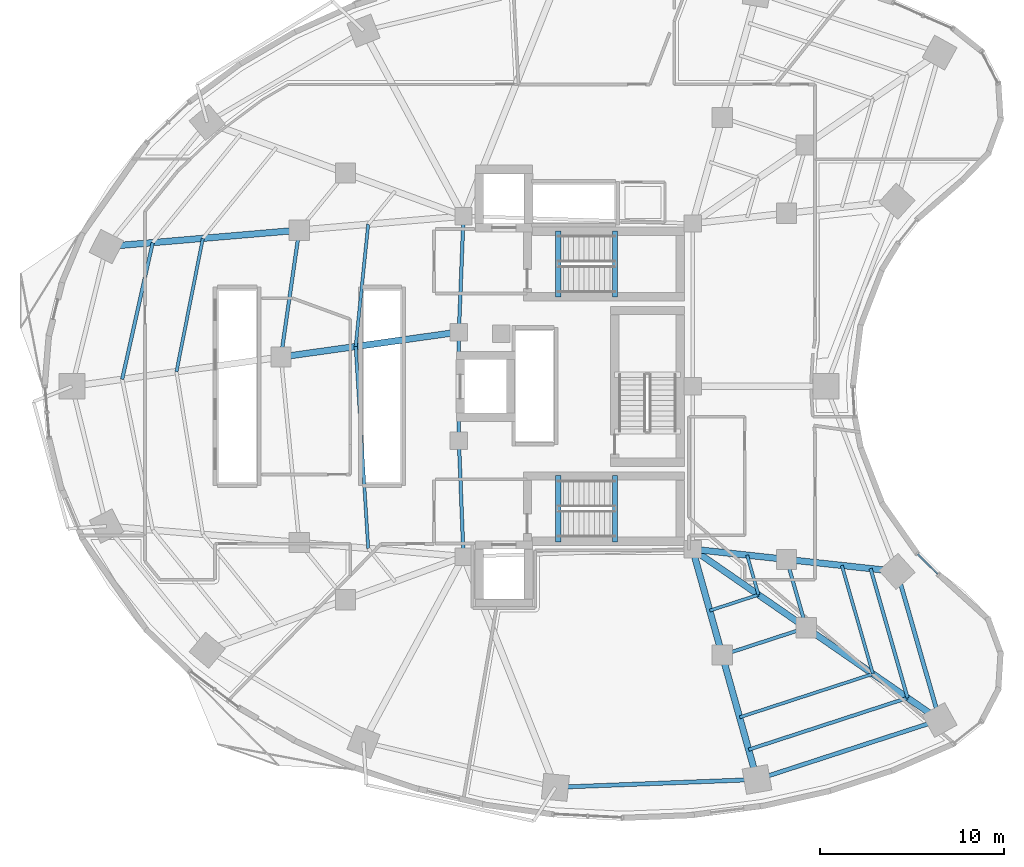
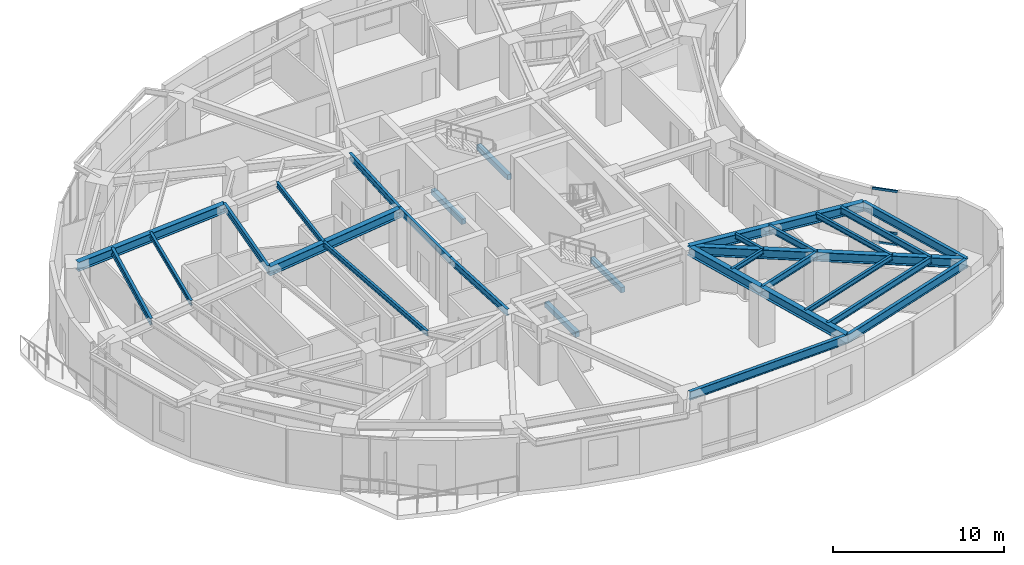
# One storey, part 3 of 14: 31 beams, 3 members, 1 element without a shape of its own.
"""IFC4 building model written with IfcOpenShell, lengths in metres."""

import ifcopenshell
import ifcopenshell.guid

model = None  # the IFC model being written
_history = None  # IfcOwnerHistory: only IFC2X3 demands one
_inside = {}  # id of a spatial element -> (the spatial element, [elements in it])
_under = {}  # id of a project, library or spatial element -> (it, [spatial elements below it])
_declared = {}  # id of a project -> (the project, [libraries it declares])
_typed = {}  # id of a type object -> (the type object, [elements of that type])
_made_of = {}  # id of a material, layer set ... -> (it, [elements and type objects made of it])


def new_model(schema):
    """Start an empty IFC model of exactly this schema.

    Asked for "IFC4X3", IfcOpenShell would pick the latest addendum, in which some entities
    have other attributes; the version numbers below select the first issue.
    IFC2X3 requires an IfcOwnerHistory on every rooted entity: one is made here for all.
    """
    global model, _history
    if schema == "IFC4X3":
        model = ifcopenshell.file(schema_version=(4, 3, 0, 0))
    else:
        model = ifcopenshell.file(schema=schema)
    _inside.clear()
    _under.clear()
    _declared.clear()
    _typed.clear()
    _made_of.clear()
    _history = None
    if model.schema == "IFC2X3":
        org = make("IfcOrganization", Name="unknown")
        user = make(
            "IfcPersonAndOrganization",
            ThePerson=make("IfcPerson", FamilyName="unknown"),
            TheOrganization=org,
        )
        app = make(
            "IfcApplication",
            ApplicationDeveloper=org,
            Version="unknown",
            ApplicationFullName="unknown",
            ApplicationIdentifier="unknown",
        )
        _history = make(
            "IfcOwnerHistory",
            OwningUser=user,
            OwningApplication=app,
            ChangeAction="ADDED",
            CreationDate=0,
        )
    return model


def make(cls, **values):
    """One entity of the class cls with the attributes given. An attribute that is None is left unset."""
    return model.create_entity(
        cls, **{name: value for name, value in values.items() if value is not None}
    )


def rooted(cls, **values):
    """An entity with a GlobalId (a new one), such as an element, a storey or a relation."""
    return make(cls, GlobalId=ifcopenshell.guid.new(), OwnerHistory=_history, **values)


def si_unit(unit_type, name, prefix=None):
    """IfcSIUnit, for example si_unit("LENGTHUNIT", "METRE", prefix="MILLI")."""
    return make("IfcSIUnit", UnitType=unit_type, Prefix=prefix, Name=name)


def assignment(units):
    """IfcUnitAssignment: the units of a project."""
    return None if units is None else make("IfcUnitAssignment", Units=units)


def point(xyz):
    """IfcCartesianPoint."""
    return None if xyz is None else make("IfcCartesianPoint", Coordinates=xyz)


def direction(xyz):
    """IfcDirection."""
    return None if xyz is None else make("IfcDirection", DirectionRatios=xyz)


def frame(location, z_axis=None, x_axis=None):
    """IfcAxis2Placement3D, a coordinate frame: its origin and axes. An axis left out is left unset."""
    return make(
        "IfcAxis2Placement3D",
        Location=point(location),
        Axis=direction(z_axis),
        RefDirection=direction(x_axis),
    )


def frame_2d(location, x_axis=None):
    """IfcAxis2Placement2D, a coordinate frame in the plane: its origin and x axis."""
    return make(
        "IfcAxis2Placement2D", Location=point(location), RefDirection=direction(x_axis)
    )


def origin():
    """The frame at (0, 0, 0) with its axes left unset."""
    return frame((0.0, 0.0, 0.0))


def origin_2d():
    """The frame at (0, 0) in the plane with its x axis left unset."""
    return frame_2d((0.0, 0.0))


def place(relative_to, where):
    """IfcLocalPlacement: puts the frame where relative to a parent placement (None: the world)."""
    return make(
        "IfcLocalPlacement", PlacementRelTo=relative_to, RelativePlacement=where
    )


def context(
    kind, dimensions, precision=None, world=None, true_north=None, identifier=None
):
    """IfcGeometricRepresentationContext, for example the 3D "Model" context."""
    return make(
        "IfcGeometricRepresentationContext",
        ContextIdentifier=identifier,
        ContextType=kind,
        CoordinateSpaceDimension=dimensions,
        Precision=precision,
        WorldCoordinateSystem=world,
        TrueNorth=true_north,
    )


def subcontext(parent, identifier, kind, view, scale=None):
    """IfcGeometricRepresentationSubContext, for example "Body" below "Model"."""
    return make(
        "IfcGeometricRepresentationSubContext",
        ContextIdentifier=identifier,
        ContextType=kind,
        ParentContext=parent,
        TargetScale=scale,
        TargetView=view,
    )


def project(units=None, contexts=None):
    """IfcProject with its units and contexts."""
    return rooted(
        "IfcProject",
        Name="project",
        RepresentationContexts=contexts,
        UnitsInContext=assignment(units),
    )


def spatial(cls, under=None, at=None, **own):
    """A site, building, storey or space (cls), placed at a placement, below another one or the project."""
    s = rooted(cls, ObjectPlacement=at, **own)
    if under is not None:
        _under.setdefault(under.id(), (under, []))[1].append(s)
    return s


def profile(cls, at=None, kind="AREA", **sizes):
    """A parametric profile (cls). Its sizes go by their IFC names, for example OverallWidth=200.0."""
    return make(cls, ProfileType=kind, Position=at, **sizes)


def rectangle(**sizes):
    """IfcRectangleProfileDef."""
    return profile("IfcRectangleProfileDef", **sizes)


def i_section(**sizes):
    """IfcIShapeProfileDef."""
    return profile("IfcIShapeProfileDef", **sizes)


def extrude(swept, where, along, depth):
    """IfcExtrudedAreaSolid: the profile swept, set in the frame where, extruded along a direction by depth."""
    return make(
        "IfcExtrudedAreaSolid",
        SweptArea=swept,
        Position=where,
        ExtrudedDirection=direction(along),
        Depth=depth,
    )


def shape(context_of_items, identifier, shape_type, items):
    """IfcShapeRepresentation: the items that make up one representation, for example the "Body"."""
    return make(
        "IfcShapeRepresentation",
        ContextOfItems=context_of_items,
        RepresentationIdentifier=identifier,
        RepresentationType=shape_type,
        Items=items,
    )


def material(Name=None, Category=None):
    """IfcMaterial."""
    return make("IfcMaterial", Name=Name, Category=Category)


def layer(
    of_material, thickness, ventilated=None, Name=None, Category=None, Priority=None
):
    """IfcMaterialLayer: one layer of a wall or slab, of a material (None: an air gap)."""
    return make(
        "IfcMaterialLayer",
        Material=of_material,
        LayerThickness=thickness,
        IsVentilated=ventilated,
        Name=Name,
        Category=Category,
        Priority=Priority,
    )


def layer_set(layers, Name=None):
    """IfcMaterialLayerSet."""
    return make("IfcMaterialLayerSet", MaterialLayers=layers, LayerSetName=Name)


def material_profile(
    of_material, cross_section, Name=None, Category=None, Priority=None
):
    """IfcMaterialProfile: a cross section and its material."""
    return make(
        "IfcMaterialProfile",
        Name=Name,
        Material=of_material,
        Profile=cross_section,
        Priority=Priority,
        Category=Category,
    )


def profile_set(profiles, Name=None, composite=None):
    """IfcMaterialProfileSet."""
    return make(
        "IfcMaterialProfileSet",
        Name=Name,
        MaterialProfiles=profiles,
        CompositeProfile=composite,
    )


def made_of(thing, what):
    """Note that an element or type object is made of a material, layer set ...; save() writes the relation."""
    if what is not None:
        _made_of.setdefault(what.id(), (what, []))[1].append(thing)
    return thing


def type_object(cls, material=None, **own):
    """A type object (cls), such as IfcWallType, which elements share."""
    return made_of(rooted(cls, **own), material)


def element(
    cls,
    number,
    at=None,
    inside=None,
    cuts=None,
    type_object=None,
    material=None,
    context=None,
    identifier="Body",
    shape_type=None,
    held_by="IfcProductDefinitionShape",
    body=None,
    shapes=None,
    **own,
):
    """One element of the class cls, such as IfcWall. Its Tag is "e" and its number.

    at: its placement. inside: the storey or other place that contains it. cuts: it is an
    opening in that element (IfcRelVoidsElement). A single representation is given by context,
    identifier, shape_type and body (its items); several are given by shapes. held_by: the class
    of the entity that holds the representations. save() writes the other relations.
    """
    e = rooted(cls, Tag="e%d" % number, ObjectPlacement=at, **own)
    if body is not None:
        shapes = [shape(context, identifier, shape_type, body)]
    if shapes is not None:
        e.Representation = make(held_by, Representations=shapes)
    if inside is not None:
        _inside.setdefault(inside.id(), (inside, []))[1].append(e)
    if cuts is not None:
        rooted(
            "IfcRelVoidsElement", RelatingBuildingElement=cuts, RelatedOpeningElement=e
        )
    if type_object is not None:
        _typed.setdefault(type_object.id(), (type_object, []))[1].append(e)
    return made_of(e, material)


def aggregate(whole, parts):
    """IfcRelAggregates: a whole, such as a stair, and the parts it consists of."""
    return rooted("IfcRelAggregates", RelatingObject=whole, RelatedObjects=parts)


def save(model, path):
    """Write the relations noted so far, then the file.

    IfcRelAggregates (storeys below a building ...), IfcRelContainedInSpatialStructure (elements
    in a storey), IfcRelDefinesByType, IfcRelAssociatesMaterial and IfcRelDeclares: one each for
    every whole, place, type object, material and project.
    """
    for whole, parts in _under.values():
        aggregate(whole, parts)
    for where, things in _inside.values():
        rooted(
            "IfcRelContainedInSpatialStructure",
            RelatedElements=things,
            RelatingStructure=where,
        )
    for kind, things in _typed.values():
        rooted("IfcRelDefinesByType", RelatedObjects=things, RelatingType=kind)
    for what, things in _made_of.values():
        rooted("IfcRelAssociatesMaterial", RelatedObjects=things, RelatingMaterial=what)
    for by, libraries in _declared.values():
        rooted("IfcRelDeclares", RelatingContext=by, RelatedDefinitions=libraries)
    model.write(path)


model = new_model("IFC4")

# Units and contexts
model_context = context("Model", 3, precision=1e-05, world=origin(), true_north=direction((0.0, 1.0)))
body_context = subcontext(model_context, "Body", "Model", "MODEL_VIEW")
ifc_project = project(units=[si_unit("LENGTHUNIT", "METRE"), si_unit("AREAUNIT", "SQUARE_METRE"), si_unit("VOLUMEUNIT", "CUBIC_METRE"), si_unit("PLANEANGLEUNIT", "RADIAN"), si_unit("MASSUNIT", "GRAM", prefix="KILO")], contexts=[model_context])

# Site, building, storey
site_placement = place(None, origin())
site = spatial("IfcSite", under=ifc_project, at=site_placement, CompositionType="ELEMENT")
building_placement = place(site_placement, origin())
building = spatial("IfcBuilding", under=site, at=building_placement, Name="Korentha Bioscience Tower", CompositionType="ELEMENT")
storey_placement = place(building_placement, frame((0.0, 0.0, 51.0)))
storey = spatial("IfcBuildingStorey", under=building, at=storey_placement, Name="L11", CompositionType="ELEMENT", Elevation=51.0)

# Beams
ifc_material_1 = material(Name="Concrete C50", Category="concrete")
ifc_material_profile_1 = material_profile(ifc_material_1, rectangle(XDim=0.280029296875, YDim=0.3798828125, at=origin_2d()), Name="Concrete C50")
ifc_profile_set_1 = profile_set([ifc_material_profile_1], Name="Concrete C50 (ST-HB380)")
beam_type_1 = type_object("IfcBeamType", Name="Concrete Stair Header Beam RC 280x380", PredefinedType="BEAM", material=ifc_profile_set_1)
for number, where, z_axis, x_axis, name in (
    (1, (30.25, 31.85009765625, -0.18994140625), (0.0, 1.0, 0.0), (-1.0, 0.0, 0.0), "L11 ST-1 Concrete Stair Header Beam"),
    (2, (33.330078125, 31.85009765625, 1.909912109375), (0.0, 1.0, 0.0), (-1.0, 0.0, 0.0), "L11 ST-1 Half-Landing Header Beam 1"),
    (3, (30.25, 18.550048828125, -0.18994140625), (0.0, 1.0, 0.0), (-1.0, 0.0, 0.0), "L11 ST-2 Concrete Stair Header Beam"),
    (4, (33.330078125, 18.550048828125, 1.909912109375), (0.0, 1.0, 0.0), (-1.0, 0.0, 0.0), "L11 ST-2 Half-Landing Header Beam 1"),
):
    element("IfcBeam", number, at=place(storey_placement, frame(where, z_axis=z_axis, x_axis=x_axis)), inside=storey, type_object=beam_type_1, Name=name, PredefinedType="BEAM", context=body_context, shape_type="SweptSolid", body=[
        extrude(rectangle(XDim=0.280029296875, YDim=0.3798828125, at=origin_2d()), origin(), (0.0, 0.0, 1.0), 3.599853515625),
    ])
ifc_material_2 = material(Name="Steel S355", Category="steel")
ifc_material_profile_2 = material_profile(ifc_material_2, i_section(OverallWidth=0.18994140625, OverallDepth=0.45703125, WebThickness=0.009033203125, FlangeThickness=0.014404296875, at=origin_2d()), Name="Steel S355")
ifc_profile_set_2 = profile_set([ifc_material_profile_2], Name="Steel S355 (MB-460)")
beam_type_2 = type_object("IfcBeamType", Name="Mid-Ring Tie Girder W460x74", PredefinedType="BEAM", material=ifc_profile_set_2)
beam_1_placement = place(storey_placement, frame((16.174072265625, 35.489013671875, 3.67138671875), z_axis=(-0.14286846228, -0.989741684727, 0.0), x_axis=(0.989741684727, -0.14286846228, 0.0)))
element("IfcBeam", 5, at=beam_1_placement, inside=storey, type_object=beam_type_2, Name="L11 Mid-Ring Tie Girder 06", PredefinedType="BEAM", context=body_context, shape_type="SweptSolid", body=[
    extrude(i_section(OverallWidth=0.18994140625, OverallDepth=0.45703125, WebThickness=0.009033203125, FlangeThickness=0.014404296875, at=origin_2d()), origin(), (0.0, 0.0, 1.0), 6.967041015625),
])
beam_2_placement = place(storey_placement, frame((39.1611328125, 12.392333984375, 3.67138671875), z_axis=(0.950877001105, 0.309568940253, 0.0), x_axis=(-0.309568940253, 0.950877001105, 0.0)))
element("IfcBeam", 6, at=beam_2_placement, inside=storey, type_object=beam_type_2, Name="L11 Mid-Ring Tie Girder 12", PredefinedType="BEAM", context=body_context, shape_type="SweptSolid", body=[
    extrude(i_section(OverallWidth=0.18994140625, OverallDepth=0.45703125, WebThickness=0.009033203125, FlangeThickness=0.014404296875, at=origin_2d()), origin(), (0.0, 0.0, 1.0), 4.80126953125),
])
beam_3_placement = place(storey_placement, frame((43.7265625, 13.878662109375, 3.67138671875), z_axis=(-0.27560557792, 0.961270807535, 0.0), x_axis=(-0.961270807535, -0.27560557792, 0.0)))
element("IfcBeam", 7, at=beam_3_placement, inside=storey, type_object=beam_type_2, Name="L11 Mid-Ring Tie Girder 13", PredefinedType="BEAM", context=body_context, shape_type="SweptSolid", body=[
    extrude(i_section(OverallWidth=0.18994140625, OverallDepth=0.45703125, WebThickness=0.009033203125, FlangeThickness=0.014404296875, at=origin_2d()), origin(), (0.0, 0.0, 1.0), 3.864013671875),
])
beam_4_placement = place(storey_placement, frame((25.10009765625, 36.25, 3.67138671875), z_axis=(-0.039651025576, -0.999213588864, 0.0), x_axis=(0.999213588864, -0.039651025576, 0.0)))
element("IfcBeam", 8, at=beam_4_placement, inside=storey, type_object=beam_type_2, Name="L11 Core Ring Tie Girder 02", PredefinedType="BEAM", context=body_context, shape_type="SweptSolid", body=[
    extrude(i_section(OverallWidth=0.18994140625, OverallDepth=0.45703125, WebThickness=0.009033203125, FlangeThickness=0.014404296875, at=origin_2d()), origin(), (0.0, 0.0, 1.0), 6.304931640625),
])
beam_5_placement = place(storey_placement, frame((24.85009765625, 29.949951171875, 3.67138671875), z_axis=(0.0, -1.0, 0.0), x_axis=(1.0, 0.0, 0.0)))
element("IfcBeam", 9, at=beam_5_placement, inside=storey, type_object=beam_type_2, Name="L11 Core Ring Tie Girder 03", PredefinedType="BEAM", context=body_context, shape_type="SweptSolid", body=[
    extrude(i_section(OverallWidth=0.18994140625, OverallDepth=0.45703125, WebThickness=0.009033203125, FlangeThickness=0.014404296875, at=origin_2d()), origin(), (0.0, 0.0, 1.0), 5.89990234375),
])
beam_6_placement = place(storey_placement, frame((24.85009765625, 24.050048828125, 3.67138671875), z_axis=(0.039651025576, -0.999213588864, 0.0), x_axis=(0.999213588864, 0.039651025576, 0.0)))
element("IfcBeam", 10, at=beam_6_placement, inside=storey, type_object=beam_type_2, Name="L11 Core Ring Tie Girder 04", PredefinedType="BEAM", context=body_context, shape_type="SweptSolid", body=[
    extrude(i_section(OverallWidth=0.18994140625, OverallDepth=0.45703125, WebThickness=0.009033203125, FlangeThickness=0.014404296875, at=origin_2d()), origin(), (0.0, 0.0, 1.0), 6.304931640625),
])
ifc_material_profile_3 = material_profile(ifc_material_2, i_section(OverallWidth=0.22802734375, OverallDepth=0.60791015625, WebThickness=0.01123046875, FlangeThickness=0.017333984375, at=origin_2d()), Name="Steel S355")
ifc_profile_set_3 = profile_set([ifc_material_profile_3], Name="Steel S355 (SB-610)")
beam_type_3 = type_object("IfcBeamType", Name="Perimeter Ring Spandrel Girder W610x113", PredefinedType="SPANDREL", material=ifc_profile_set_3)
beam_7_placement = place(storey_placement, frame((30.09423828125, 5.20751953125, 3.595947265625), z_axis=(0.999246003889, 0.03882555488, 0.0), x_axis=(-0.03882555488, 0.999246003889, 0.0)))
element("IfcBeam", 11, at=beam_7_placement, inside=storey, type_object=beam_type_3, Name="L11 Perimeter Spandrel Girder 11", PredefinedType="SPANDREL", context=body_context, shape_type="SweptSolid", body=[
    extrude(i_section(OverallWidth=0.22802734375, OverallDepth=0.60791015625, WebThickness=0.01123046875, FlangeThickness=0.017333984375, at=origin_2d()), origin(), (0.0, 0.0, 1.0), 10.966552734375),
])
beam_8_placement = place(storey_placement, frame((41.052490234375, 5.63330078125, 3.595947265625), z_axis=(0.95087511444, 0.309574735305, 0.0), x_axis=(-0.309574735305, 0.95087511444, 0.0)))
element("IfcBeam", 12, at=beam_8_placement, inside=storey, type_object=beam_type_3, Name="L11 Perimeter Spandrel Girder 12", PredefinedType="SPANDREL", context=body_context, shape_type="SweptSolid", body=[
    extrude(i_section(OverallWidth=0.22802734375, OverallDepth=0.60791015625, WebThickness=0.01123046875, FlangeThickness=0.017333984375, at=origin_2d()), origin(), (0.0, 0.0, 1.0), 10.4375),
])
beam_9_placement = place(storey_placement, frame((50.977294921875, 8.864501953125, 3.595947265625), z_axis=(-0.275642273411, 0.961260285827, 0.0), x_axis=(-0.961260285827, -0.275642273411, 0.0)))
element("IfcBeam", 13, at=beam_9_placement, inside=storey, type_object=beam_type_3, Name="L11 Perimeter Spandrel Girder 13", PredefinedType="SPANDREL", context=body_context, shape_type="SweptSolid", body=[
    extrude(i_section(OverallWidth=0.22802734375, OverallDepth=0.60791015625, WebThickness=0.01123046875, FlangeThickness=0.017333984375, at=origin_2d()), origin(), (0.0, 0.0, 1.0), 8.400146484375),
])
ifc_material_profile_4 = material_profile(ifc_material_2, i_section(OverallWidth=0.18994140625, OverallDepth=0.45703125, WebThickness=0.009033203125, FlangeThickness=0.014404296875, at=origin_2d()), Name="Steel S355")
ifc_profile_set_4 = profile_set([ifc_material_profile_4], Name="Steel S355 (RB-460)")
beam_type_4 = type_object("IfcBeamType", Name="Radial Laboratory Beam W460x74", PredefinedType="BEAM", material=ifc_profile_set_4)
beam_10_placement = place(storey_placement, frame((8.21044921875, 34.81005859375, 3.67138671875), z_axis=(-0.218146323162, -0.975916073077, 0.0), x_axis=(0.975916073077, -0.218146323162, 0.0)))
element("IfcBeam", 14, at=beam_10_placement, inside=storey, type_object=beam_type_4, Name="L11 Secondary Floor Beam JSTO-06", PredefinedType="BEAM", context=body_context, shape_type="SweptSolid", body=[
    extrude(i_section(OverallWidth=0.18994140625, OverallDepth=0.45703125, WebThickness=0.009033203125, FlangeThickness=0.014404296875, at=origin_2d()), origin(), (0.0, 0.0, 1.0), 7.6103515625),
])
beam_11_placement = place(storey_placement, frame((40.5986328125, 7.255615234375, 3.67138671875), z_axis=(0.95087437499, 0.309577006554, 0.0), x_axis=(-0.309577006554, 0.95087437499, 0.0)))
element("IfcBeam", 15, at=beam_11_placement, inside=storey, type_object=beam_type_4, Name="L11 Secondary Floor Beam JSTO-12", PredefinedType="BEAM", context=body_context, shape_type="SweptSolid", body=[
    extrude(i_section(OverallWidth=0.18994140625, OverallDepth=0.45703125, WebThickness=0.009033203125, FlangeThickness=0.014404296875, at=origin_2d()), origin(), (0.0, 0.0, 1.0), 9.0849609375),
])
beam_12_placement = place(storey_placement, frame((49.2373046875, 10.068115234375, 3.67138671875), z_axis=(-0.275682421415, 0.961248772443, 0.0), x_axis=(-0.961248772443, -0.275682421415, 0.0)))
element("IfcBeam", 16, at=beam_12_placement, inside=storey, type_object=beam_type_4, Name="L11 Secondary Floor Beam JSTO-13", PredefinedType="BEAM", context=body_context, shape_type="SweptSolid", body=[
    extrude(i_section(OverallWidth=0.18994140625, OverallDepth=0.45703125, WebThickness=0.009033203125, FlangeThickness=0.014404296875, at=origin_2d()), origin(), (0.0, 0.0, 1.0), 7.3115234375),
])
ifc_material_profile_5 = material_profile(ifc_material_2, i_section(OverallWidth=0.35009765625, OverallDepth=0.64990234375, WebThickness=0.01611328125, FlangeThickness=0.02490234375, at=origin_2d()), Name="Steel S355")
ifc_profile_set_5 = profile_set([ifc_material_profile_5], Name="Steel S355 (RB-650)")
beam_type_5 = type_object("IfcBeamType", Name="Radial Laboratory Girder CVS 650x208", PredefinedType="BEAM", material=ifc_profile_set_5)
beam_13_placement = place(storey_placement, frame((16.174072265625, 35.489013671875, 3.574951171875), z_axis=(-0.996385601055, -0.084945476695, 0.0), x_axis=(0.084945476695, -0.996385601055, 0.0)))
element("IfcBeam", 17, at=beam_13_placement, inside=storey, type_object=beam_type_5, Name="L11 Outer Radial Girder 06", PredefinedType="BEAM", context=body_context, shape_type="SweptSolid", body=[
    extrude(i_section(OverallWidth=0.35009765625, OverallDepth=0.64990234375, WebThickness=0.01611328125, FlangeThickness=0.02490234375, at=origin_2d()), origin(), (0.0, 0.0, 1.0), 10.516357421875),
])
beam_14_placement = place(storey_placement, frame((24.85009765625, 29.949951171875, 3.574951171875), z_axis=(-0.990307253072, -0.138894004596, 0.0), x_axis=(0.138894004596, -0.990307253072, 0.0)))
element("IfcBeam", 18, at=beam_14_placement, inside=storey, type_object=beam_type_5, Name="L11 Inner Radial Girder 07", PredefinedType="BEAM", context=body_context, shape_type="SweptSolid", body=[
    extrude(i_section(OverallWidth=0.35009765625, OverallDepth=0.64990234375, WebThickness=0.01611328125, FlangeThickness=0.02490234375, at=origin_2d()), origin(), (0.0, 0.0, 1.0), 9.76611328125),
])
beam_15_placement = place(storey_placement, frame((37.550048828125, 18.14990234375, 3.574951171875), z_axis=(0.269469369205, -0.963008961049, 0.0), x_axis=(0.963008961049, 0.269469369205, 0.0)))
element("IfcBeam", 19, at=beam_15_placement, inside=storey, type_object=beam_type_5, Name="L11 Inner Radial Girder 12", PredefinedType="BEAM", context=body_context, shape_type="SweptSolid", body=[
    extrude(i_section(OverallWidth=0.35009765625, OverallDepth=0.64990234375, WebThickness=0.01611328125, FlangeThickness=0.02490234375, at=origin_2d()), origin(), (0.0, 0.0, 1.0), 5.978759765625),
])
beam_16_placement = place(storey_placement, frame((39.1611328125, 12.392333984375, 3.574951171875), z_axis=(0.269475095129, -0.963007358801, 0.0), x_axis=(0.963007358801, 0.269475095129, 0.0)))
element("IfcBeam", 20, at=beam_16_placement, inside=storey, type_object=beam_type_5, Name="L11 Outer Radial Girder 12", PredefinedType="BEAM", context=body_context, shape_type="SweptSolid", body=[
    extrude(i_section(OverallWidth=0.35009765625, OverallDepth=0.64990234375, WebThickness=0.01611328125, FlangeThickness=0.02490234375, at=origin_2d()), origin(), (0.0, 0.0, 1.0), 7.0185546875),
])
beam_17_placement = place(storey_placement, frame((37.550048828125, 18.14990234375, 3.574951171875), z_axis=(0.822491697625, -0.568777115694, 0.0), x_axis=(0.568777115694, 0.822491697625, 0.0)))
element("IfcBeam", 21, at=beam_17_placement, inside=storey, type_object=beam_type_5, Name="L11 Inner Radial Girder 13", PredefinedType="BEAM", context=body_context, shape_type="SweptSolid", body=[
    extrude(i_section(OverallWidth=0.35009765625, OverallDepth=0.64990234375, WebThickness=0.01611328125, FlangeThickness=0.02490234375, at=origin_2d()), origin(), (0.0, 0.0, 1.0), 7.509521484375),
])
beam_18_placement = place(storey_placement, frame((43.7265625, 13.878662109375, 3.574951171875), z_axis=(0.822488186113, -0.568782193555, 0.0), x_axis=(0.568782193555, 0.822488186113, 0.0)))
element("IfcBeam", 22, at=beam_18_placement, inside=storey, type_object=beam_type_5, Name="L11 Outer Radial Girder 13", PredefinedType="BEAM", context=body_context, shape_type="SweptSolid", body=[
    extrude(i_section(OverallWidth=0.35009765625, OverallDepth=0.64990234375, WebThickness=0.01611328125, FlangeThickness=0.02490234375, at=origin_2d()), origin(), (0.0, 0.0, 1.0), 8.815673828125),
])
beam_19_placement = place(storey_placement, frame((37.550048828125, 18.14990234375, 3.574951171875), z_axis=(0.994117709144, -0.10830503389, 0.0), x_axis=(0.10830503389, 0.994117709144, 0.0)))
element("IfcBeam", 23, at=beam_19_placement, inside=storey, type_object=beam_type_5, Name="L11 Inner Radial Girder 14", PredefinedType="BEAM", context=body_context, shape_type="SweptSolid", body=[
    extrude(i_section(OverallWidth=0.35009765625, OverallDepth=0.64990234375, WebThickness=0.01611328125, FlangeThickness=0.02490234375, at=origin_2d()), origin(), (0.0, 0.0, 1.0), 5.141845703125),
])
beam_20_placement = place(storey_placement, frame((42.66162109375, 17.593017578125, 3.574951171875), z_axis=(0.994115805925, -0.108322501862, 0.0), x_axis=(0.108322501862, 0.994115805925, 0.0)))
element("IfcBeam", 24, at=beam_20_placement, inside=storey, type_object=beam_type_5, Name="L11 Outer Radial Girder 14", PredefinedType="BEAM", context=body_context, shape_type="SweptSolid", body=[
    extrude(i_section(OverallWidth=0.35009765625, OverallDepth=0.64990234375, WebThickness=0.01611328125, FlangeThickness=0.02490234375, at=origin_2d()), origin(), (0.0, 0.0, 1.0), 6.03564453125),
])
ifc_material_profile_6 = material_profile(ifc_material_2, i_section(OverallWidth=0.1708984375, OverallDepth=0.35498046875, WebThickness=0.007080078125, FlangeThickness=0.01171875, at=origin_2d()), Name="Steel S355")
ifc_profile_set_6 = profile_set([ifc_material_profile_6], Name="Steel S355 (JB-360)")
beam_type_6 = type_object("IfcBeamType", Name="Secondary Laboratory Joist W360x51", PredefinedType="JOIST", material=ifc_profile_set_6)
beam_21_placement = place(storey_placement, frame((10.934814453125, 35.042236328125, 3.722412109375), z_axis=(-0.193979665978, -0.981005550029, 0.0), x_axis=(0.981005550029, -0.193979665978, 0.0)))
element("IfcBeam", 25, at=beam_21_placement, inside=storey, type_object=beam_type_6, Name="L11 Secondary Floor Beam JST-06", PredefinedType="JOIST", context=body_context, shape_type="SweptSolid", body=[
    extrude(i_section(OverallWidth=0.1708984375, OverallDepth=0.35498046875, WebThickness=0.007080078125, FlangeThickness=0.01171875, at=origin_2d()), origin(), (0.0, 0.0, 1.0), 7.385498046875),
])
beam_22_placement = place(storey_placement, frame((19.9228515625, 35.80859375, 3.722412109375), z_axis=(-0.102144778597, -0.994769543264, 0.0), x_axis=(0.994769543264, -0.102144778597, 0.0)))
element("IfcBeam", 26, at=beam_22_placement, inside=storey, type_object=beam_type_6, Name="L11 Inner Bay Joist 06", PredefinedType="JOIST", context=body_context, shape_type="SweptSolid", body=[
    extrude(i_section(OverallWidth=0.1708984375, OverallDepth=0.35498046875, WebThickness=0.007080078125, FlangeThickness=0.01171875, at=origin_2d()), origin(), (0.0, 0.0, 1.0), 6.680419921875),
])
beam_23_placement = place(storey_placement, frame((19.240478515625, 29.1630859375, 3.722412109375), z_axis=(0.062074098012, -0.998071543706, 0.0), x_axis=(0.998071543706, 0.062074098012, 0.0)))
element("IfcBeam", 27, at=beam_23_placement, inside=storey, type_object=beam_type_6, Name="L11 Inner Bay Joist 07", PredefinedType="JOIST", context=body_context, shape_type="SweptSolid", body=[
    extrude(i_section(OverallWidth=0.1708984375, OverallDepth=0.35498046875, WebThickness=0.007080078125, FlangeThickness=0.01171875, at=origin_2d()), origin(), (0.0, 0.0, 1.0), 10.992919921875),
])
beam_24_placement = place(storey_placement, frame((40.10693359375, 9.0126953125, 3.722412109375), z_axis=(0.950870992772, 0.309587394938, 0.0), x_axis=(-0.309587394938, 0.950870992772, 0.0)))
element("IfcBeam", 28, at=beam_24_placement, inside=storey, type_object=beam_type_6, Name="L11 Secondary Floor Beam JST-12", PredefinedType="JOIST", context=body_context, shape_type="SweptSolid", body=[
    extrude(i_section(OverallWidth=0.1708984375, OverallDepth=0.35498046875, WebThickness=0.007080078125, FlangeThickness=0.01171875, at=origin_2d()), origin(), (0.0, 0.0, 1.0), 7.619384765625),
])
beam_25_placement = place(storey_placement, frame((38.484619140625, 14.810546875, 3.722412109375), z_axis=(0.950869630746, 0.309591578254, 0.0), x_axis=(-0.309591578254, 0.950869630746, 0.0)))
element("IfcBeam", 29, at=beam_25_placement, inside=storey, type_object=beam_type_6, Name="L11 Inner Bay Joist 12", PredefinedType="JOIST", context=body_context, shape_type="SweptSolid", body=[
    extrude(i_section(OverallWidth=0.1708984375, OverallDepth=0.35498046875, WebThickness=0.007080078125, FlangeThickness=0.01171875, at=origin_2d()), origin(), (0.0, 0.0, 1.0), 2.784423828125),
])
beam_26_placement = place(storey_placement, frame((47.35205078125, 11.37158203125, 3.722412109375), z_axis=(-0.275667500387, 0.96125305161, 0.0), x_axis=(-0.96125305161, -0.275667500387, 0.0)))
element("IfcBeam", 30, at=beam_26_placement, inside=storey, type_object=beam_type_6, Name="L11 Secondary Floor Beam JST-13", PredefinedType="JOIST", context=body_context, shape_type="SweptSolid", body=[
    extrude(i_section(OverallWidth=0.1708984375, OverallDepth=0.35498046875, WebThickness=0.007080078125, FlangeThickness=0.01171875, at=origin_2d()), origin(), (0.0, 0.0, 1.0), 6.132080078125),
])
beam_27_placement = place(storey_placement, frame((41.13232421875, 15.672607421875, 3.722412109375), z_axis=(-0.275613067773, 0.961268660091, 0.0), x_axis=(-0.961268660091, -0.275613067773, 0.0)))
element("IfcBeam", 31, at=beam_27_placement, inside=storey, type_object=beam_type_6, Name="L11 Inner Bay Joist 13", PredefinedType="JOIST", context=body_context, shape_type="SweptSolid", body=[
    extrude(i_section(OverallWidth=0.1708984375, OverallDepth=0.35498046875, WebThickness=0.007080078125, FlangeThickness=0.01171875, at=origin_2d()), origin(), (0.0, 0.0, 1.0), 2.2412109375),
])

# Curtain wall, members
ifc_material_3 = material(Name="Thermally Broken Aluminium Frame", Category="aluminium")
ifc_layer = layer(ifc_material_3, 0.219970703125, Name="Thermally Broken Aluminium Frame")
ifc_layer_set = layer_set([ifc_layer], Name="Thermally Broken Aluminium Frame (CW-T1)")
curtain_wall_type = type_object("IfcCurtainWallType", Name="Standard Bioscience Lab Unitised Curtain Wall CW-T1", PredefinedType="USERDEFINED", material=ifc_layer_set)
curtain_wall_placement = place(storey_placement, origin())
curtain_wall = element("IfcCurtainWall", 32, at=curtain_wall_placement, inside=storey, type_object=curtain_wall_type, Name="L11 Curtain Wall 43", ObjectType="UNITISED", PredefinedType="USERDEFINED")
ifc_material_4 = material(Name="Anodised Aluminium 6063-T6", Category="aluminium")
ifc_material_profile_7 = material_profile(ifc_material_4, rectangle(XDim=0.090087890625, YDim=0.159912109375, at=origin_2d()), Name="Anodised Aluminium 6063-T6")
ifc_profile_set_7 = profile_set([ifc_material_profile_7], Name="Anodised Aluminium 6063-T6 (CW-TRN)")
member_type = type_object("IfcMemberType", Name="Transom RECT 90x160", PredefinedType="USERDEFINED", material=ifc_profile_set_7)
member_1_placement = place(storey_placement, frame((50.8818359375, 16.796875, 0.044921875), z_axis=(-0.713350356322, 0.700807583531, 0.0), x_axis=(-0.700807583531, -0.713350356322, 0.0)))
member_1 = element("IfcMember", 33, at=member_1_placement, type_object=member_type, Name="CW-L11-43 Bay 1 Transom 1", ObjectType="TRANSOM", PredefinedType="USERDEFINED", context=body_context, shape_type="SweptSolid", body=[
    extrude(rectangle(XDim=0.090087890625, YDim=0.159912109375, at=origin_2d()), origin(), (0.0, 0.0, 1.0), 1.53759765625),
])
member_2_placement = place(storey_placement, frame((50.8818359375, 16.796875, 0.85009765625), z_axis=(-0.713350356322, 0.700807583531, 0.0), x_axis=(-0.700807583531, -0.713350356322, 0.0)))
member_2 = element("IfcMember", 34, at=member_2_placement, type_object=member_type, Name="CW-L11-43 Bay 1 Transom 2", ObjectType="TRANSOM", PredefinedType="USERDEFINED", context=body_context, shape_type="SweptSolid", body=[
    extrude(rectangle(XDim=0.090087890625, YDim=0.159912109375, at=origin_2d()), origin(), (0.0, 0.0, 1.0), 1.53759765625),
])
member_3_placement = place(storey_placement, frame((50.8818359375, 16.796875, 3.85498046875), z_axis=(-0.713350356322, 0.700807583531, 0.0), x_axis=(-0.700807583531, -0.713350356322, 0.0)))
member_3 = element("IfcMember", 35, at=member_3_placement, type_object=member_type, Name="CW-L11-43 Bay 1 Transom 3", ObjectType="TRANSOM", PredefinedType="USERDEFINED", context=body_context, shape_type="SweptSolid", body=[
    extrude(rectangle(XDim=0.090087890625, YDim=0.159912109375, at=origin_2d()), origin(), (0.0, 0.0, 1.0), 1.53759765625),
])
aggregate(curtain_wall, [member_1, member_2, member_3])

save(model, "model.ifc")
